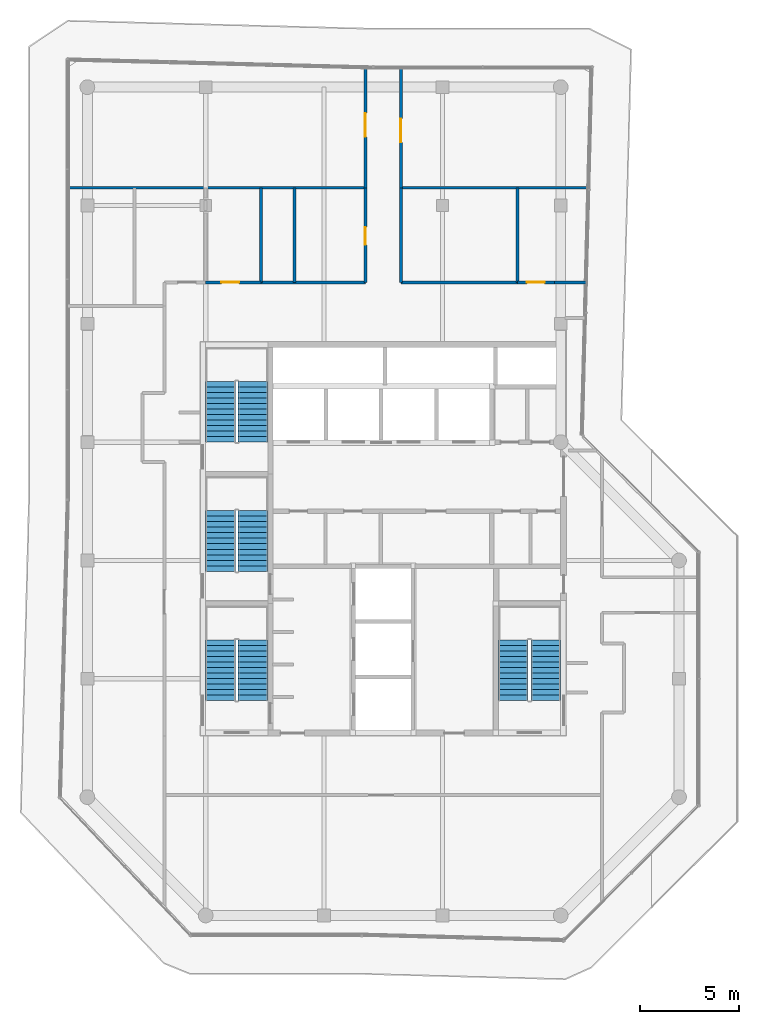
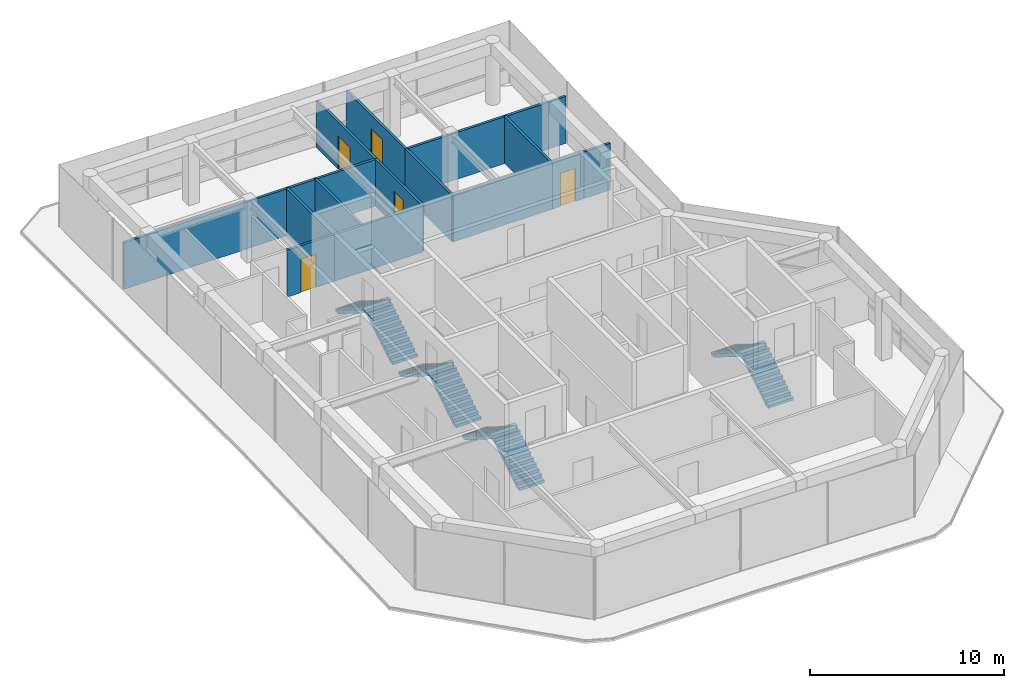
# One storey, part 13 of 15: 14 walls, 8 stair flights, 5 doors, 5 openings, 4 elements without a shape of their own.
"""IFC4 building model written with IfcOpenShell, lengths in metres."""

from ifc_helpers import new_model, si_unit, direction, frame, frame_2d, origin, place, context, subcontext, project, spatial, polyline, rectangle, outline, extrude, material, layer, layer_set, type_object, element, fill, aggregate, save


model = new_model("IFC4")

# Units and contexts
model_context = context("Model", 3, precision=1e-05, world=origin(), true_north=direction((0.0, 1.0)))
body_context = subcontext(model_context, "Body", "Model", "MODEL_VIEW")
ifc_project = project(units=[si_unit("LENGTHUNIT", "METRE"), si_unit("AREAUNIT", "SQUARE_METRE"), si_unit("VOLUMEUNIT", "CUBIC_METRE"), si_unit("PLANEANGLEUNIT", "RADIAN"), si_unit("MASSUNIT", "GRAM", prefix="KILO")], contexts=[model_context])

# Site, building, storey
site_placement = place(None, origin())
site = spatial("IfcSite", under=ifc_project, at=site_placement, CompositionType="ELEMENT")
building_placement = place(site_placement, origin())
building = spatial("IfcBuilding", under=site, at=building_placement, Name="Welwitschia Terrace Campus", CompositionType="ELEMENT")
storey_placement = place(building_placement, frame((0.0, 0.0, 339.800048828125)))
storey = spatial("IfcBuildingStorey", under=building, at=storey_placement, Name="L76", CompositionType="ELEMENT", Elevation=339.800048828125)

# Wall
ifc_material_1 = material(Name="Gypsum board on steel studs", Category="steel")
ifc_layer = layer(ifc_material_1, 0.14990234375)
ifc_layer_set = layer_set([ifc_layer], Name="Gypsum board on steel studs")
wall_type = type_object("IfcWallType", Name="Corridor partition 150 EI 30", PredefinedType="PARTITIONING", material=ifc_layer_set)
wall_1_placement = place(storey_placement, frame((-0.97998046875, 32.89990234375, 0.0), z_axis=(0.0, 0.0, 1.0), x_axis=(1.0, 0.0, 0.0)))
element("IfcWall", 1, at=wall_1_placement, inside=storey, type_object=wall_type, Name="Partition", PredefinedType="PARTITIONING", context=body_context, shape_type="SweptSolid", body=[
    extrude(rectangle(XDim=15.080078125, YDim=0.14990234375, at=frame_2d((7.5400390625, 0.0))), origin(), (0.0, 0.0, 1.0), 2.949951171875),
])

# Wall, opening, door
wall_2_placement = place(storey_placement, frame((6.0, 28.10009765625, 0.0), z_axis=(0.0, 0.0, 1.0), x_axis=(1.0, 0.0, 0.0)))
wall_2 = element("IfcWall", 2, at=wall_2_placement, inside=storey, type_object=wall_type, Name="Partition", PredefinedType="PARTITIONING", context=body_context, shape_type="SweptSolid", body=[
    extrude(rectangle(XDim=2.800048828125, YDim=0.14990234375, at=frame_2d((1.39990234375, 0.0))), origin(), (0.0, 0.0, 1.0), 2.949951171875),
])
opening_1_placement = place(wall_2_placement, frame((0.800048828125, 0.0, 0.0)))
opening_1 = element("IfcOpeningElement", 3, at=opening_1_placement, cuts=wall_2, Name="Opening DI09", PredefinedType="OPENING", context=body_context, shape_type="SweptSolid", body=[
    extrude(rectangle(XDim=0.89990234375, YDim=2.10009765625, at=frame_2d((0.449951171875, 1.050048828125))), frame((0.0, 0.0849609375, 0.0), z_axis=(0.0, -1.0, 0.0), x_axis=(1.0, 0.0, 0.0)), (0.0, 0.0, 1.0), 0.169921875),
])
ifc_material_2 = material(Name="Timber veneered door", Category="wood")
door_type_1 = type_object("IfcDoorType", Name="Interior door DI09", OperationType="NOTDEFINED", PredefinedType="DOOR", material=ifc_material_2)
door_1_placement = place(opening_1_placement, origin())
door_1 = element("IfcDoor", 4, at=door_1_placement, inside=storey, type_object=door_type_1, Name="Door L76 1302", OperationType="SINGLE_SWING_LEFT", OverallHeight=2.10009765625, OverallWidth=0.89990234375, PredefinedType="DOOR", context=body_context, shape_type="SweptSolid", body=[
    extrude(rectangle(XDim=0.89990234375, YDim=2.10009765625, at=frame_2d((0.449951171875, 1.050048828125))), frame((0.0, 0.02490234375, 0.0), z_axis=(0.0, -1.0, 0.0), x_axis=(1.0, 0.0, 0.0)), (0.0, 0.0, 1.0), 0.050048828125),
])
fill(opening_1, door_1)

# Walls
wall_3_placement = place(storey_placement, frame((8.800048828125, 28.10009765625, 0.0), z_axis=(0.0, 0.0, 1.0), x_axis=(0.0, 1.0, 0.0)))
element("IfcWall", 5, at=wall_3_placement, inside=storey, type_object=wall_type, Name="Partition", PredefinedType="PARTITIONING", context=body_context, shape_type="SweptSolid", body=[
    extrude(rectangle(XDim=4.7998046875, YDim=0.14990234375, at=frame_2d((2.39990234375, 0.0))), origin(), (0.0, 0.0, 1.0), 2.949951171875),
])
wall_4_placement = place(storey_placement, frame((8.800048828125, 28.10009765625, 0.0), z_axis=(0.0, 0.0, 1.0), x_axis=(1.0, 0.0, 0.0)))
element("IfcWall", 6, at=wall_4_placement, inside=storey, type_object=wall_type, Name="Partition", PredefinedType="PARTITIONING", context=body_context, shape_type="SweptSolid", body=[
    extrude(rectangle(XDim=5.300048828125, YDim=0.14990234375, at=frame_2d((2.64990234375, 0.0))), origin(), (0.0, 0.0, 1.0), 2.949951171875),
])
wall_5_placement = place(storey_placement, frame((10.5, 28.10009765625, 0.0), z_axis=(0.0, 0.0, 1.0), x_axis=(0.0, 1.0, 0.0)))
element("IfcWall", 7, at=wall_5_placement, inside=storey, type_object=wall_type, Name="Partition", PredefinedType="PARTITIONING", context=body_context, shape_type="SweptSolid", body=[
    extrude(rectangle(XDim=4.7998046875, YDim=0.14990234375, at=frame_2d((2.39990234375, 0.0))), origin(), (0.0, 0.0, 1.0), 2.949951171875),
])

# Wall, opening, door
wall_6_placement = place(storey_placement, frame((14.10009765625, 28.10009765625, 0.0), z_axis=(0.0, 0.0, 1.0), x_axis=(0.0, 1.0, 0.0)))
wall_6 = element("IfcWall", 8, at=wall_6_placement, inside=storey, type_object=wall_type, Name="Partition", PredefinedType="PARTITIONING", context=body_context, shape_type="SweptSolid", body=[
    extrude(rectangle(XDim=4.7998046875, YDim=0.14990234375, at=frame_2d((2.39990234375, 0.0))), origin(), (0.0, 0.0, 1.0), 2.949951171875),
])
opening_2_placement = place(wall_6_placement, frame((1.89990234375, 0.0, 0.0)))
opening_2 = element("IfcOpeningElement", 9, at=opening_2_placement, cuts=wall_6, Name="Opening DI09", PredefinedType="OPENING", context=body_context, shape_type="SweptSolid", body=[
    extrude(rectangle(XDim=0.89990234375, YDim=2.10009765625, at=frame_2d((0.449951171875, 1.050048828125))), frame((0.0, 0.0849609375, 0.0), z_axis=(0.0, -1.0, 0.0), x_axis=(1.0, 0.0, 0.0)), (0.0, 0.0, 1.0), 0.169921875),
])
door_2_placement = place(opening_2_placement, origin())
door_2 = element("IfcDoor", 10, at=door_2_placement, inside=storey, type_object=door_type_1, Name="Door L76 1303", OperationType="SINGLE_SWING_RIGHT", OverallHeight=2.10009765625, OverallWidth=0.89990234375, PredefinedType="DOOR", context=body_context, shape_type="SweptSolid", body=[
    extrude(rectangle(XDim=0.89990234375, YDim=2.10009765625, at=frame_2d((0.449951171875, 1.050048828125))), frame((0.0, 0.02490234375, 0.0), z_axis=(0.0, -1.0, 0.0), x_axis=(1.0, 0.0, 0.0)), (0.0, 0.0, 1.0), 0.050048828125),
])
fill(opening_2, door_2)

wall_7_placement = place(storey_placement, frame((14.10009765625, 32.89990234375, 0.0), z_axis=(0.0, 0.0, 1.0), x_axis=(0.0, 1.0, 0.0)))
wall_7 = element("IfcWall", 11, at=wall_7_placement, inside=storey, type_object=wall_type, Name="Partition", PredefinedType="PARTITIONING", context=body_context, shape_type="SweptSolid", body=[
    extrude(rectangle(XDim=6.080078125, YDim=0.14990234375, at=frame_2d((3.0400390625, 0.0))), origin(), (0.0, 0.0, 1.0), 2.949951171875),
])
opening_3_placement = place(wall_7_placement, frame((2.580078125, 0.0, 0.0)))
opening_3 = element("IfcOpeningElement", 12, at=opening_3_placement, cuts=wall_7, Name="Opening DX12", PredefinedType="OPENING", context=body_context, shape_type="SweptSolid", body=[
    extrude(rectangle(XDim=1.199951171875, YDim=2.10009765625, at=frame_2d((0.60009765625, 1.050048828125))), frame((0.0, 0.0849609375, 0.0), z_axis=(0.0, -1.0, 0.0), x_axis=(1.0, 0.0, 0.0)), (0.0, 0.0, 1.0), 0.169921875),
])
ifc_material_3 = material(Name="Timber veneered door", Category="wood")
door_type_2 = type_object("IfcDoorType", Name="Interior door DX12", OperationType="NOTDEFINED", PredefinedType="DOOR", material=ifc_material_3)
door_3_placement = place(opening_3_placement, origin())
door_3 = element("IfcDoor", 13, at=door_3_placement, inside=storey, type_object=door_type_2, Name="Door L76 1304", OperationType="SINGLE_SWING_LEFT", OverallHeight=2.10009765625, OverallWidth=1.199951171875, PredefinedType="DOOR", context=body_context, shape_type="SweptSolid", body=[
    extrude(rectangle(XDim=1.199951171875, YDim=2.10009765625, at=frame_2d((0.60009765625, 1.050048828125))), frame((0.0, 0.02490234375, 0.0), z_axis=(0.0, -1.0, 0.0), x_axis=(1.0, 0.0, 0.0)), (0.0, 0.0, 1.0), 0.050048828125),
])
fill(opening_3, door_3)

# Walls
wall_8_placement = place(storey_placement, frame((15.89990234375, 28.10009765625, 0.0), z_axis=(0.0, 0.0, 1.0), x_axis=(0.0, 1.0, 0.0)))
element("IfcWall", 14, at=wall_8_placement, inside=storey, type_object=wall_type, Name="Partition", PredefinedType="PARTITIONING", context=body_context, shape_type="SweptSolid", body=[
    extrude(rectangle(XDim=4.7998046875, YDim=0.14990234375, at=frame_2d((2.39990234375, 0.0))), origin(), (0.0, 0.0, 1.0), 2.949951171875),
])
wall_9_placement = place(storey_placement, frame((15.89990234375, 28.10009765625, 0.0), z_axis=(0.0, 0.0, 1.0), x_axis=(1.0, 0.0, 0.0)))
element("IfcWall", 15, at=wall_9_placement, inside=storey, type_object=wall_type, Name="Partition", PredefinedType="PARTITIONING", context=body_context, shape_type="SweptSolid", body=[
    extrude(rectangle(XDim=5.900146484375, YDim=0.14990234375, at=frame_2d((2.9501953125, 0.0))), origin(), (0.0, 0.0, 1.0), 2.949951171875),
])
wall_10_placement = place(storey_placement, frame((15.89990234375, 32.89990234375, 0.0), z_axis=(0.0, 0.0, 1.0), x_axis=(1.0, 0.0, 0.0)))
element("IfcWall", 16, at=wall_10_placement, inside=storey, type_object=wall_type, Name="Partition", PredefinedType="PARTITIONING", context=body_context, shape_type="SweptSolid", body=[
    extrude(rectangle(XDim=9.49560546875, YDim=0.14990234375, at=frame_2d((4.747802734375, 0.0))), origin(), (0.0, 0.0, 1.0), 2.949951171875),
])

# Wall, opening, door
wall_11_placement = place(storey_placement, frame((15.89990234375, 38.97998046875, 0.0), z_axis=(0.0, 0.0, 1.0), x_axis=(0.0, -1.0, 0.0)))
wall_11 = element("IfcWall", 17, at=wall_11_placement, inside=storey, type_object=wall_type, Name="Partition", PredefinedType="PARTITIONING", context=body_context, shape_type="SweptSolid", body=[
    extrude(rectangle(XDim=6.080078125, YDim=0.14990234375, at=frame_2d((3.0400390625, 0.0))), origin(), (0.0, 0.0, 1.0), 2.949951171875),
])
opening_4_placement = place(wall_11_placement, frame((2.580078125, 0.0, 0.0)))
opening_4 = element("IfcOpeningElement", 18, at=opening_4_placement, cuts=wall_11, Name="Opening DX12", PredefinedType="OPENING", context=body_context, shape_type="SweptSolid", body=[
    extrude(rectangle(XDim=1.199951171875, YDim=2.10009765625, at=frame_2d((0.60009765625, 1.050048828125))), frame((0.0, 0.0849609375, 0.0), z_axis=(0.0, -1.0, 0.0), x_axis=(1.0, 0.0, 0.0)), (0.0, 0.0, 1.0), 0.169921875),
])
door_4_placement = place(opening_4_placement, origin())
door_4 = element("IfcDoor", 19, at=door_4_placement, inside=storey, type_object=door_type_2, Name="Door L76 1305", OperationType="SINGLE_SWING_RIGHT", OverallHeight=2.10009765625, OverallWidth=1.199951171875, PredefinedType="DOOR", context=body_context, shape_type="SweptSolid", body=[
    extrude(rectangle(XDim=1.199951171875, YDim=2.10009765625, at=frame_2d((0.60009765625, 1.050048828125))), frame((0.0, 0.02490234375, 0.0), z_axis=(0.0, -1.0, 0.0), x_axis=(1.0, 0.0, 0.0)), (0.0, 0.0, 1.0), 0.050048828125),
])
fill(opening_4, door_4)

# Wall
wall_12_placement = place(storey_placement, frame((21.800048828125, 28.10009765625, 0.0), z_axis=(0.0, 0.0, 1.0), x_axis=(0.0, 1.0, 0.0)))
element("IfcWall", 20, at=wall_12_placement, inside=storey, type_object=wall_type, Name="Partition", PredefinedType="PARTITIONING", context=body_context, shape_type="SweptSolid", body=[
    extrude(rectangle(XDim=4.7998046875, YDim=0.14990234375, at=frame_2d((2.39990234375, 0.0))), origin(), (0.0, 0.0, 1.0), 2.949951171875),
])

# Wall, opening, door
wall_13_placement = place(storey_placement, frame((21.800048828125, 28.10009765625, 0.0), z_axis=(0.0, 0.0, 1.0), x_axis=(1.0, 0.0, 0.0)))
wall_13 = element("IfcWall", 21, at=wall_13_placement, inside=storey, type_object=wall_type, Name="Partition", PredefinedType="PARTITIONING", context=body_context, shape_type="SweptSolid", body=[
    extrude(rectangle(XDim=1.889892578125, YDim=0.14990234375, at=frame_2d((0.94482421875, 0.0))), origin(), (0.0, 0.0, 1.0), 2.949951171875),
])
opening_5_placement = place(wall_13_placement, frame((0.489990234375, 0.0, 0.0)))
opening_5 = element("IfcOpeningElement", 22, at=opening_5_placement, cuts=wall_13, Name="Opening DI09", PredefinedType="OPENING", context=body_context, shape_type="SweptSolid", body=[
    extrude(rectangle(XDim=0.89990234375, YDim=2.10009765625, at=frame_2d((0.449951171875, 1.050048828125))), frame((0.0, 0.0849609375, 0.0), z_axis=(0.0, -1.0, 0.0), x_axis=(1.0, 0.0, 0.0)), (0.0, 0.0, 1.0), 0.169921875),
])
door_5_placement = place(opening_5_placement, origin())
door_5 = element("IfcDoor", 23, at=door_5_placement, inside=storey, type_object=door_type_1, Name="Door L76 1306", OperationType="SINGLE_SWING_LEFT", OverallHeight=2.10009765625, OverallWidth=0.89990234375, PredefinedType="DOOR", context=body_context, shape_type="SweptSolid", body=[
    extrude(rectangle(XDim=0.89990234375, YDim=2.10009765625, at=frame_2d((0.449951171875, 1.050048828125))), frame((0.0, 0.02490234375, 0.0), z_axis=(0.0, -1.0, 0.0), x_axis=(1.0, 0.0, 0.0)), (0.0, 0.0, 1.0), 0.050048828125),
])
fill(opening_5, door_5)

# Wall
wall_14_placement = place(storey_placement, frame((23.68994140625, 28.10009765625, 0.0), z_axis=(0.0, 0.0, 1.0), x_axis=(1.0, 0.0, 0.0)))
element("IfcWall", 24, at=wall_14_placement, inside=storey, type_object=wall_type, Name="Partition", PredefinedType="PARTITIONING", context=body_context, shape_type="SweptSolid", body=[
    extrude(rectangle(XDim=1.590087890625, YDim=0.14990234375, at=frame_2d((0.794921875, 0.0))), origin(), (0.0, 0.0, 1.0), 2.949951171875),
])

# Stair, stair flights
ifc_material_4 = material(Name="Concrete C40/50", Category="concrete")
stair_type = type_object("IfcStairType", Name="Stair 24R 175 W1500", PredefinedType="HALF_TURN_STAIR", material=ifc_material_4)
stair_1_placement = place(storey_placement, origin())
stair_1 = element("IfcStair", 25, at=stair_1_placement, inside=storey, type_object=stair_type, Name="L76 Exit stair S1", PredefinedType="HALF_TURN_STAIR")
ifc_material_5 = material(Name="Concrete C40/50", Category="concrete")
stair_flight_type = type_object("IfcStairFlightType", Name="Stair flight 24R 175 W1500", PredefinedType="STRAIGHT", material=ifc_material_5)
stair_flight_1_placement = place(storey_placement, frame((8.39990234375, 6.89990234375, 0.0), z_axis=(0.0, 0.0, 1.0), x_axis=(0.0, 1.0, 0.0)))
stair_flight_1 = element("IfcStairFlight", 26, at=stair_flight_1_placement, type_object=stair_flight_type, Name="S1 flight 1", NumberOfRisers=12, NumberOfTreads=11, PredefinedType="STRAIGHT", RiserHeight=0.175, TreadLength=0.28, context=body_context, shape_type="SweptSolid", body=[
    extrude(outline(polyline([(0.0, 0.0), (0.0, 0.175048828125), (0.280029296875, 0.175048828125), (0.280029296875, 0.35009765625), (0.56005859375, 0.35009765625), (0.56005859375, 0.52490234375), (0.840087890625, 0.52490234375), (0.840087890625, 0.699951171875), (1.1201171875, 0.699951171875), (1.1201171875, 0.875), (1.39990234375, 0.875), (1.39990234375, 1.050048828125), (1.679931640625, 1.050048828125), (1.679931640625, 1.22509765625), (1.9599609375, 1.22509765625), (1.9599609375, 1.39990234375), (2.239990234375, 1.39990234375), (2.239990234375, 1.574951171875), (2.52001953125, 1.574951171875), (2.52001953125, 1.75), (2.800048828125, 1.75), (2.800048828125, 1.925048828125), (3.080078125, 1.925048828125), (3.080078125, 2.10009765625), (3.080078125, 1.748291015625), (0.28271484375, 0.0), (0.0, 0.0)])), frame((0.0, 0.75, 0.0), z_axis=(0.0, -1.0, 0.0), x_axis=(1.0, 0.0, 0.0)), (0.0, 0.0, 1.0), 1.5),
])
stair_flight_2_placement = place(storey_placement, frame((6.75, 9.97998046875, 2.099853515625), z_axis=(0.0, 0.0, 1.0), x_axis=(0.0, -1.0, 0.0)))
stair_flight_2 = element("IfcStairFlight", 27, at=stair_flight_2_placement, type_object=stair_flight_type, Name="S1 flight 2", NumberOfRisers=12, NumberOfTreads=11, PredefinedType="STRAIGHT", RiserHeight=0.175, TreadLength=0.28, context=body_context, shape_type="SweptSolid", body=[
    extrude(outline(polyline([(0.0, 0.0), (0.0, 0.175048828125), (0.280029296875, 0.175048828125), (0.280029296875, 0.35009765625), (0.56005859375, 0.35009765625), (0.56005859375, 0.52490234375), (0.840087890625, 0.52490234375), (0.840087890625, 0.699951171875), (1.1201171875, 0.699951171875), (1.1201171875, 0.875), (1.39990234375, 0.875), (1.39990234375, 1.050048828125), (1.679931640625, 1.050048828125), (1.679931640625, 1.22509765625), (1.9599609375, 1.22509765625), (1.9599609375, 1.39990234375), (2.239990234375, 1.39990234375), (2.239990234375, 1.574951171875), (2.52001953125, 1.574951171875), (2.52001953125, 1.75), (2.800048828125, 1.75), (2.800048828125, 1.925048828125), (3.080078125, 1.925048828125), (3.080078125, 2.10009765625), (3.080078125, 1.748291015625), (0.28271484375, 0.0), (0.0, 0.0)])), frame((0.0, 0.75, 0.0), z_axis=(0.0, -1.0, 0.0), x_axis=(1.0, 0.0, 0.0)), (0.0, 0.0, 1.0), 1.5),
])
aggregate(stair_1, [stair_flight_1, stair_flight_2])

stair_2_placement = place(storey_placement, origin())
stair_2 = element("IfcStair", 28, at=stair_2_placement, inside=storey, type_object=stair_type, Name="L76 Exit stair S3", PredefinedType="HALF_TURN_STAIR")
stair_flight_3_placement = place(storey_placement, frame((8.39990234375, 13.449951171875, 0.0), z_axis=(0.0, 0.0, 1.0), x_axis=(0.0, 1.0, 0.0)))
stair_flight_3 = element("IfcStairFlight", 29, at=stair_flight_3_placement, type_object=stair_flight_type, Name="S3 flight 1", NumberOfRisers=12, NumberOfTreads=11, PredefinedType="STRAIGHT", RiserHeight=0.175, TreadLength=0.28, context=body_context, shape_type="SweptSolid", body=[
    extrude(outline(polyline([(0.0, 0.0), (0.0, 0.175048828125), (0.280029296875, 0.175048828125), (0.280029296875, 0.35009765625), (0.56005859375, 0.35009765625), (0.56005859375, 0.52490234375), (0.840087890625, 0.52490234375), (0.840087890625, 0.699951171875), (1.1201171875, 0.699951171875), (1.1201171875, 0.875), (1.39990234375, 0.875), (1.39990234375, 1.050048828125), (1.679931640625, 1.050048828125), (1.679931640625, 1.22509765625), (1.9599609375, 1.22509765625), (1.9599609375, 1.39990234375), (2.239990234375, 1.39990234375), (2.239990234375, 1.574951171875), (2.52001953125, 1.574951171875), (2.52001953125, 1.75), (2.800048828125, 1.75), (2.800048828125, 1.925048828125), (3.080078125, 1.925048828125), (3.080078125, 2.10009765625), (3.080078125, 1.748291015625), (0.28271484375, 0.0), (0.0, 0.0)])), frame((0.0, 0.75, 0.0), z_axis=(0.0, -1.0, 0.0), x_axis=(1.0, 0.0, 0.0)), (0.0, 0.0, 1.0), 1.5),
])
stair_flight_4_placement = place(storey_placement, frame((6.75, 16.530029296875, 2.099853515625), z_axis=(0.0, 0.0, 1.0), x_axis=(0.0, -1.0, 0.0)))
stair_flight_4 = element("IfcStairFlight", 30, at=stair_flight_4_placement, type_object=stair_flight_type, Name="S3 flight 2", NumberOfRisers=12, NumberOfTreads=11, PredefinedType="STRAIGHT", RiserHeight=0.175, TreadLength=0.28, context=body_context, shape_type="SweptSolid", body=[
    extrude(outline(polyline([(0.0, 0.0), (0.0, 0.175048828125), (0.280029296875, 0.175048828125), (0.280029296875, 0.35009765625), (0.56005859375, 0.35009765625), (0.56005859375, 0.52490234375), (0.840087890625, 0.52490234375), (0.840087890625, 0.699951171875), (1.1201171875, 0.699951171875), (1.1201171875, 0.875), (1.39990234375, 0.875), (1.39990234375, 1.050048828125), (1.679931640625, 1.050048828125), (1.679931640625, 1.22509765625), (1.9599609375, 1.22509765625), (1.9599609375, 1.39990234375), (2.239990234375, 1.39990234375), (2.239990234375, 1.574951171875), (2.52001953125, 1.574951171875), (2.52001953125, 1.75), (2.800048828125, 1.75), (2.800048828125, 1.925048828125), (3.080078125, 1.925048828125), (3.080078125, 2.10009765625), (3.080078125, 1.748291015625), (0.28271484375, 0.0), (0.0, 0.0)])), frame((0.0, 0.75, 0.0), z_axis=(0.0, -1.0, 0.0), x_axis=(1.0, 0.0, 0.0)), (0.0, 0.0, 1.0), 1.5),
])
aggregate(stair_2, [stair_flight_3, stair_flight_4])

stair_3_placement = place(storey_placement, origin())
stair_3 = element("IfcStair", 31, at=stair_3_placement, inside=storey, type_object=stair_type, Name="L76 Exit stair S4", PredefinedType="HALF_TURN_STAIR")
stair_flight_5_placement = place(storey_placement, frame((8.39990234375, 20.0, 0.0), z_axis=(0.0, 0.0, 1.0), x_axis=(0.0, 1.0, 0.0)))
stair_flight_5 = element("IfcStairFlight", 32, at=stair_flight_5_placement, type_object=stair_flight_type, Name="S4 flight 1", NumberOfRisers=12, NumberOfTreads=11, PredefinedType="STRAIGHT", RiserHeight=0.175, TreadLength=0.28, context=body_context, shape_type="SweptSolid", body=[
    extrude(outline(polyline([(0.0, 0.0), (0.0, 0.175048828125), (0.280029296875, 0.175048828125), (0.280029296875, 0.35009765625), (0.56005859375, 0.35009765625), (0.56005859375, 0.52490234375), (0.840087890625, 0.52490234375), (0.840087890625, 0.699951171875), (1.1201171875, 0.699951171875), (1.1201171875, 0.875), (1.39990234375, 0.875), (1.39990234375, 1.050048828125), (1.679931640625, 1.050048828125), (1.679931640625, 1.22509765625), (1.9599609375, 1.22509765625), (1.9599609375, 1.39990234375), (2.239990234375, 1.39990234375), (2.239990234375, 1.574951171875), (2.52001953125, 1.574951171875), (2.52001953125, 1.75), (2.800048828125, 1.75), (2.800048828125, 1.925048828125), (3.080078125, 1.925048828125), (3.080078125, 2.10009765625), (3.080078125, 1.748291015625), (0.28271484375, 0.0), (0.0, 0.0)])), frame((0.0, 0.75, 0.0), z_axis=(0.0, -1.0, 0.0), x_axis=(1.0, 0.0, 0.0)), (0.0, 0.0, 1.0), 1.5),
])
stair_flight_6_placement = place(storey_placement, frame((6.75, 23.080078125, 2.099853515625), z_axis=(0.0, 0.0, 1.0), x_axis=(0.0, -1.0, 0.0)))
stair_flight_6 = element("IfcStairFlight", 33, at=stair_flight_6_placement, type_object=stair_flight_type, Name="S4 flight 2", NumberOfRisers=12, NumberOfTreads=11, PredefinedType="STRAIGHT", RiserHeight=0.175, TreadLength=0.28, context=body_context, shape_type="SweptSolid", body=[
    extrude(outline(polyline([(0.0, 0.0), (0.0, 0.175048828125), (0.280029296875, 0.175048828125), (0.280029296875, 0.35009765625), (0.56005859375, 0.35009765625), (0.56005859375, 0.52490234375), (0.840087890625, 0.52490234375), (0.840087890625, 0.699951171875), (1.1201171875, 0.699951171875), (1.1201171875, 0.875), (1.39990234375, 0.875), (1.39990234375, 1.050048828125), (1.679931640625, 1.050048828125), (1.679931640625, 1.22509765625), (1.9599609375, 1.22509765625), (1.9599609375, 1.39990234375), (2.239990234375, 1.39990234375), (2.239990234375, 1.574951171875), (2.52001953125, 1.574951171875), (2.52001953125, 1.75), (2.800048828125, 1.75), (2.800048828125, 1.925048828125), (3.080078125, 1.925048828125), (3.080078125, 2.10009765625), (3.080078125, 1.748291015625), (0.28271484375, 0.0), (0.0, 0.0)])), frame((0.0, 0.75, 0.0), z_axis=(0.0, -1.0, 0.0), x_axis=(1.0, 0.0, 0.0)), (0.0, 0.0, 1.0), 1.5),
])
aggregate(stair_3, [stair_flight_5, stair_flight_6])

stair_4_placement = place(storey_placement, origin())
stair_4 = element("IfcStair", 34, at=stair_4_placement, inside=storey, type_object=stair_type, Name="L76 Exit stair S2", PredefinedType="HALF_TURN_STAIR")
stair_flight_7_placement = place(storey_placement, frame((23.25, 6.89990234375, 0.0), z_axis=(0.0, 0.0, 1.0), x_axis=(0.0, 1.0, 0.0)))
stair_flight_7 = element("IfcStairFlight", 35, at=stair_flight_7_placement, type_object=stair_flight_type, Name="S2 flight 1", NumberOfRisers=12, NumberOfTreads=11, PredefinedType="STRAIGHT", RiserHeight=0.175, TreadLength=0.28, context=body_context, shape_type="SweptSolid", body=[
    extrude(outline(polyline([(0.0, 0.0), (0.0, 0.175048828125), (0.280029296875, 0.175048828125), (0.280029296875, 0.35009765625), (0.56005859375, 0.35009765625), (0.56005859375, 0.52490234375), (0.840087890625, 0.52490234375), (0.840087890625, 0.699951171875), (1.1201171875, 0.699951171875), (1.1201171875, 0.875), (1.39990234375, 0.875), (1.39990234375, 1.050048828125), (1.679931640625, 1.050048828125), (1.679931640625, 1.22509765625), (1.9599609375, 1.22509765625), (1.9599609375, 1.39990234375), (2.239990234375, 1.39990234375), (2.239990234375, 1.574951171875), (2.52001953125, 1.574951171875), (2.52001953125, 1.75), (2.800048828125, 1.75), (2.800048828125, 1.925048828125), (3.080078125, 1.925048828125), (3.080078125, 2.10009765625), (3.080078125, 1.748291015625), (0.28271484375, 0.0), (0.0, 0.0)])), frame((0.0, 0.75, 0.0), z_axis=(0.0, -1.0, 0.0), x_axis=(1.0, 0.0, 0.0)), (0.0, 0.0, 1.0), 1.5),
])
stair_flight_8_placement = place(storey_placement, frame((21.60009765625, 9.97998046875, 2.099853515625), z_axis=(0.0, 0.0, 1.0), x_axis=(0.0, -1.0, 0.0)))
stair_flight_8 = element("IfcStairFlight", 36, at=stair_flight_8_placement, type_object=stair_flight_type, Name="S2 flight 2", NumberOfRisers=12, NumberOfTreads=11, PredefinedType="STRAIGHT", RiserHeight=0.175, TreadLength=0.28, context=body_context, shape_type="SweptSolid", body=[
    extrude(outline(polyline([(0.0, 0.0), (0.0, 0.175048828125), (0.280029296875, 0.175048828125), (0.280029296875, 0.35009765625), (0.56005859375, 0.35009765625), (0.56005859375, 0.52490234375), (0.840087890625, 0.52490234375), (0.840087890625, 0.699951171875), (1.1201171875, 0.699951171875), (1.1201171875, 0.875), (1.39990234375, 0.875), (1.39990234375, 1.050048828125), (1.679931640625, 1.050048828125), (1.679931640625, 1.22509765625), (1.9599609375, 1.22509765625), (1.9599609375, 1.39990234375), (2.239990234375, 1.39990234375), (2.239990234375, 1.574951171875), (2.52001953125, 1.574951171875), (2.52001953125, 1.75), (2.800048828125, 1.75), (2.800048828125, 1.925048828125), (3.080078125, 1.925048828125), (3.080078125, 2.10009765625), (3.080078125, 1.748291015625), (0.28271484375, 0.0), (0.0, 0.0)])), frame((0.0, 0.75, 0.0), z_axis=(0.0, -1.0, 0.0), x_axis=(1.0, 0.0, 0.0)), (0.0, 0.0, 1.0), 1.5),
])
aggregate(stair_4, [stair_flight_7, stair_flight_8])

save(model, "model.ifc")
